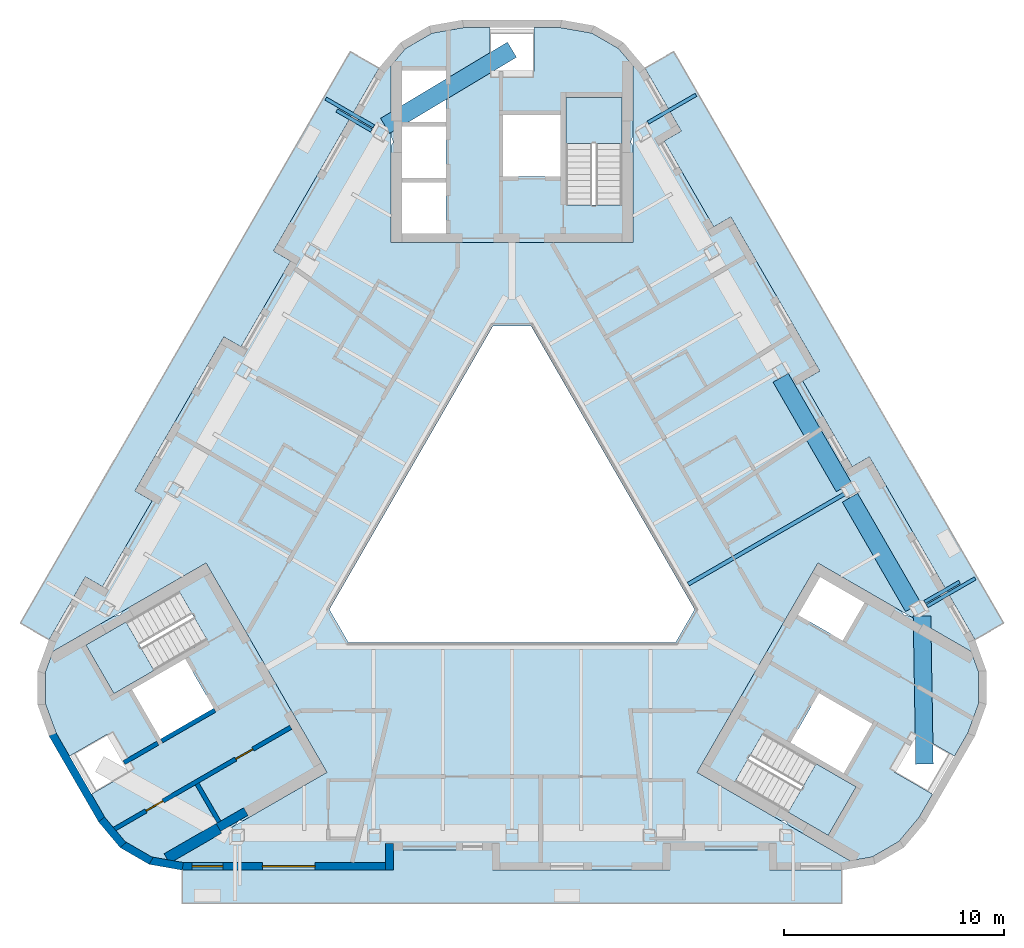
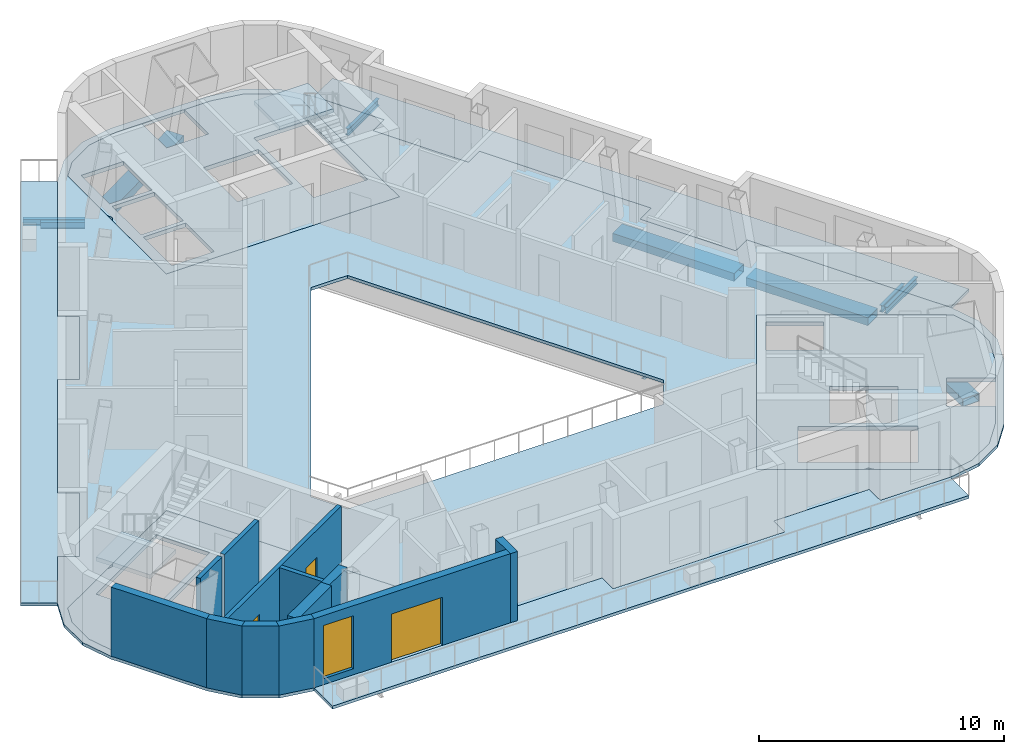
# One storey, part 2 of 11: 12 walls, 10 beams, 10 slabs, 3 doors, 1 window, 4 openings, 3 elements without a shape of their own.
"""IFC4 building model written with IfcOpenShell, lengths in metres."""

from ifc_helpers import new_model, si_unit, direction, frame, frame_2d, origin, origin_2d, place, context, subcontext, project, spatial, polyline, rectangle, hollow_rectangle, i_section, outline, extrude, material, layer, layer_set, material_profile, profile_set, type_object, element, fill, aggregate, save


model = new_model("IFC4")

# Units and contexts
model_context = context("Model", 3, precision=1e-05, world=origin(), true_north=direction((0.0, 1.0)))
body_context = subcontext(model_context, "Body", "Model", "MODEL_VIEW")
ifc_project = project(units=[si_unit("LENGTHUNIT", "METRE"), si_unit("AREAUNIT", "SQUARE_METRE"), si_unit("VOLUMEUNIT", "CUBIC_METRE"), si_unit("PLANEANGLEUNIT", "RADIAN"), si_unit("MASSUNIT", "GRAM", prefix="KILO")], contexts=[model_context])

# Site, building, storey
site_placement = place(None, origin())
site = spatial("IfcSite", under=ifc_project, at=site_placement, CompositionType="ELEMENT")
building_placement = place(site_placement, origin())
building = spatial("IfcBuilding", under=site, at=building_placement, Name="Apuvela Tower Hotel", CompositionType="ELEMENT")
storey_placement = place(building_placement, frame((0.0, 0.0, 328.10009765625)))
storey = spatial("IfcBuildingStorey", under=building, at=storey_placement, Name="L82", CompositionType="ELEMENT", Elevation=328.10009765625)

# Beams
ifc_material_1 = material(Name="Steel S355", Category="steel")
ifc_material_profile_1 = material_profile(ifc_material_1, i_section(OverallWidth=0.159912109375, OverallDepth=0.330078125, WebThickness=0.007568359375, FlangeThickness=0.011474609375, at=origin_2d()), Name="IPE 330")
ifc_profile_set_1 = profile_set([ifc_material_profile_1], Name="Steel S355")
beam_type_1 = type_object("IfcBeamType", Name="ENV-BALCONY-BEAM-IPE330", PredefinedType="BEAM", material=ifc_profile_set_1)
beam_1_placement = place(storey_placement, frame((18.890380859375, -3.6484375, -0.315185546875), z_axis=(0.866039067339, 0.499976333282, 0.0), x_axis=(-0.499976333282, 0.866039067339, 0.0)))
element("IfcBeam", 1, at=beam_1_placement, inside=storey, type_object=beam_type_1, Name="Balcony cantilever beam NE1 L82", PredefinedType="BEAM", context=body_context, shape_type="SweptSolid", body=[
    extrude(i_section(OverallWidth=0.159912109375, OverallDepth=0.330078125, WebThickness=0.007568359375, FlangeThickness=0.011474609375, at=origin_2d()), origin(), (0.0, 0.0, 1.0), 2.52490234375),
])
beam_2_placement = place(storey_placement, frame((18.780517578125, -3.4580078125, -0.315185546875), z_axis=(0.865978377894, 0.500081442387, 0.0), x_axis=(-0.500081442387, 0.865978377894, 0.0)))
element("IfcBeam", 2, at=beam_2_placement, inside=storey, type_object=beam_type_1, Name="Balcony cantilever beam NE2 L82", PredefinedType="BEAM", context=body_context, shape_type="SweptSolid", body=[
    extrude(i_section(OverallWidth=0.159912109375, OverallDepth=0.330078125, WebThickness=0.007568359375, FlangeThickness=0.011474609375, at=origin_2d()), origin(), (0.0, 0.0, 1.0), 1.824951171875),
])
for number, where, z_axis, x_axis, name in (
    (3, (6.185546875, 18.35693359375, -0.315185546875), (0.866039067339, 0.499976333282, 0.0), (-0.499976333282, 0.866039067339, 0.0), "Balcony cantilever beam NE3 L82"),
    (4, (-6.28564453125, 18.183837890625, -0.315185546875), (-0.866039067339, 0.499976333282, 0.0), (-0.499976333282, -0.866039067339, 0.0), "Balcony cantilever beam NW1 L82"),
):
    element("IfcBeam", number, at=place(storey_placement, frame(where, z_axis=z_axis, x_axis=x_axis)), inside=storey, type_object=beam_type_1, Name=name, PredefinedType="BEAM", context=body_context, shape_type="SweptSolid", body=[
        extrude(i_section(OverallWidth=0.159912109375, OverallDepth=0.330078125, WebThickness=0.007568359375, FlangeThickness=0.011474609375, at=origin_2d()), origin(), (0.0, 0.0, 1.0), 2.52490234375),
    ])
beam_3_placement = place(storey_placement, frame((-6.3955078125, 17.993408203125, -0.315185546875), z_axis=(-0.866069751741, 0.499923179218, 0.0), x_axis=(-0.499923179218, -0.866069751741, 0.0)))
element("IfcBeam", 5, at=beam_3_placement, inside=storey, type_object=beam_type_1, Name="Balcony cantilever beam NW2 L82", PredefinedType="BEAM", context=body_context, shape_type="SweptSolid", body=[
    extrude(i_section(OverallWidth=0.159912109375, OverallDepth=0.330078125, WebThickness=0.007568359375, FlangeThickness=0.011474609375, at=origin_2d()), origin(), (0.0, 0.0, 1.0), 1.824951171875),
])
ifc_material_profile_2 = material_profile(ifc_material_1, i_section(OverallWidth=0.179931640625, OverallDepth=0.39990234375, WebThickness=0.008544921875, FlangeThickness=0.013427734375, at=origin_2d()), Name="IPE 400")
ifc_profile_set_2 = profile_set([ifc_material_profile_2], Name="Steel S355")
beam_type_2 = type_object("IfcBeamType", Name="STR-B floor beam IPE 400", PredefinedType="BEAM", material=ifc_profile_set_2)
beam_4_placement = place(storey_placement, frame((15.262939453125, 1.53466796875, -0.35009765625), z_axis=(-0.866016455095, -0.500015499264, 0.0), x_axis=(0.500015499264, -0.866016455095, 0.0)))
element("IfcBeam", 6, at=beam_4_placement, inside=storey, type_object=beam_type_2, Name="Floor beam B2 NE3", PredefinedType="BEAM", context=body_context, shape_type="SweptSolid", body=[
    extrude(i_section(OverallWidth=0.179931640625, OverallDepth=0.39990234375, WebThickness=0.008544921875, FlangeThickness=0.013427734375, at=origin_2d()), origin(), (0.0, 0.0, 1.0), 8.365478515625),
])
ifc_material_2 = material(Name="Steel S460", Category="steel")
ifc_material_profile_3 = material_profile(ifc_material_2, hollow_rectangle(XDim=0.800048828125, YDim=0.39990234375, WallThickness=0.02490234375, at=origin_2d()), Name="BOX 800x400x25")
ifc_profile_set_3 = profile_set([ifc_material_profile_3], Name="Steel S460")
beam_type_3 = type_object("IfcBeamType", Name="STR-RB perimeter ring beam BOX 800x400x25", PredefinedType="SPANDREL", material=ifc_profile_set_3)
beam_5_placement = place(storey_placement, frame((18.2548828125, -3.69775390625, -0.400146484375), z_axis=(-0.499973507871, 0.866040698482, 0.0), x_axis=(-0.866040698482, -0.499973507871, 0.0)))
element("IfcBeam", 7, at=beam_5_placement, inside=storey, type_object=beam_type_3, Name="Ring beam RB1 NE1", PredefinedType="SPANDREL", context=body_context, shape_type="SweptSolid", body=[
    extrude(hollow_rectangle(XDim=0.800048828125, YDim=0.39990234375, WallThickness=0.02490234375, at=origin_2d()), origin(), (0.0, 0.0, 1.0), 5.752197265625),
])
beam_6_placement = place(storey_placement, frame((15.103759765625, 1.76025390625, -0.400146484375), z_axis=(-0.500005339912, 0.866022320763, 0.0), x_axis=(-0.866022320763, -0.500005339912, 0.0)))
element("IfcBeam", 8, at=beam_6_placement, inside=storey, type_object=beam_type_3, Name="Ring beam RB1 NE2", PredefinedType="SPANDREL", context=body_context, shape_type="SweptSolid", body=[
    extrude(hollow_rectangle(XDim=0.800048828125, YDim=0.39990234375, WallThickness=0.02490234375, at=origin_2d()), origin(), (0.0, 0.0, 1.0), 5.75244140625),
])
for number, where, z_axis, x_axis, name in (
    (9, (18.657470703125, -4.1005859375, -0.400146484375), (0.016705409891, -0.999860454904, 0.0), (0.999860454904, 0.016705409891, 0.0), "Ring beam RB1 NE1-SE"),
    (10, (-5.777587890625, 18.2080078125, -0.400146484375), (0.85754088229, 0.514415819353, 0.0), (-0.514415819353, 0.85754088229, 0.0), "Ring beam RB1 NW1-N"),
):
    element("IfcBeam", number, at=place(storey_placement, frame(where, z_axis=z_axis, x_axis=x_axis)), inside=storey, type_object=beam_type_3, Name=name, PredefinedType="SPANDREL", context=body_context, shape_type="SweptSolid", body=[
        extrude(hollow_rectangle(XDim=0.800048828125, YDim=0.39990234375, WallThickness=0.02490234375, at=origin_2d()), origin(), (0.0, 0.0, 1.0), 6.7373046875),
    ])

# Slabs
ifc_material_3 = material(Name="Concrete C50/60", Category="concrete")
ifc_layer_1 = layer(ifc_material_3, 0.199951171875)
ifc_layer_set_1 = layer_set([ifc_layer_1], Name="COR-FLOOR-200")
slab_type_1 = type_object("IfcSlabType", Name="COR-FLOOR-200", PredefinedType="FLOOR", material=ifc_layer_set_1)
slab_1_placement = place(storey_placement, frame((0.0, 0.0, -0.2001953125)))
element("IfcSlab", 11, at=slab_1_placement, inside=storey, type_object=slab_type_1, Name="Core floor N", PredefinedType="FLOOR", context=body_context, shape_type="SweptSolid", body=[
    extrude(outline(polyline([(5.401611328125, 17.47021484375), (5.5, 17.72412109375), (5.5, 20.94921875), (4.848876953125, 21.72509765625), (3.635986328125, 22.42529296875), (2.226318359375, 22.673828125), (1.0, 22.673828125), (1.0, 20.673828125), (-1.0, 20.673828125), (-1.0, 22.673828125), (-2.226318359375, 22.673828125), (-3.635986328125, 22.42529296875), (-4.848876953125, 21.72509765625), (-5.5, 20.94921875), (-5.5, 17.72412109375), (-5.401611328125, 17.47021484375), (-5.5, 17.2998046875), (-5.5, 12.89990234375), (5.5, 12.89990234375), (5.5, 17.2998046875), (5.401611328125, 17.47021484375)]), holes=[polyline([(-3.0, 13.300048828125), (-5.0, 13.300048828125), (-5.0, 15.639892578125), (-3.0, 15.639892578125), (-3.0, 13.300048828125)]), polyline([(-3.0, 15.840087890625), (-5.0, 15.840087890625), (-5.0, 18.179931640625), (-3.0, 18.179931640625), (-3.0, 15.840087890625)]), polyline([(5.0, 14.60595703125), (2.449951171875, 14.60595703125), (2.449951171875, 19.5), (5.0, 19.5), (5.0, 14.60595703125)]), polyline([(2.199951171875, 18.699951171875), (2.199951171875, 15.89990234375), (-0.39990234375, 15.89990234375), (-0.39990234375, 18.699951171875), (2.199951171875, 18.699951171875)]), polyline([(-3.0, 20.719970703125), (-3.0, 18.3798828125), (-5.0, 18.3798828125), (-5.0, 20.719970703125), (-3.0, 20.719970703125)])]), origin(), (0.0, 0.0, 1.0), 0.2001953125),
])
slab_2_placement = place(storey_placement, frame((0.0, 0.0, -0.2001953125)))
element("IfcSlab", 12, at=slab_2_placement, inside=storey, type_object=slab_type_1, Name="Core floor SW", PredefinedType="FLOOR", context=body_context, shape_type="SweptSolid", body=[
    extrude(outline(polyline([(-17.830322265625, -4.05712890625), (-18.099609375, -4.098876953125), (-20.892578125, -5.71142578125), (-21.239013671875, -6.663330078125), (-21.239013671875, -8.063720703125), (-20.749267578125, -9.408935546875), (-20.135986328125, -10.470947265625), (-18.404052734375, -9.470947265625), (-17.404052734375, -11.202880859375), (-19.135986328125, -12.202880859375), (-18.52294921875, -13.264892578125), (-17.602783203125, -14.361572265625), (-16.389892578125, -15.061767578125), (-15.392578125, -15.23779296875), (-12.599365234375, -13.625), (-12.4287109375, -13.4130859375), (-12.23193359375, -13.4130859375), (-8.421630859375, -11.213134765625), (-13.921630859375, -1.68701171875), (-17.732177734375, -3.88671875), (-17.830322265625, -4.05712890625)]), holes=[polyline([(-13.874267578125, -5.18115234375), (-18.112548828125, -7.628173828125), (-19.387451171875, -5.419921875), (-15.149169921875, -2.972900390625), (-13.874267578125, -5.18115234375)]), polyline([(-13.56982421875, -8.29638671875), (-15.99462890625, -9.6962890625), (-17.294677734375, -7.444580078125), (-14.869873046875, -6.044677734375), (-13.56982421875, -8.29638671875)])]), origin(), (0.0, 0.0, 1.0), 0.2001953125),
])
slab_3_placement = place(storey_placement, frame((0.0, 0.0, -0.2001953125)))
element("IfcSlab", 13, at=slab_3_placement, inside=storey, type_object=slab_type_1, Name="Core floor SE", PredefinedType="FLOOR", context=body_context, shape_type="SweptSolid", body=[
    extrude(outline(polyline([(12.4287109375, -13.4130859375), (12.599365234375, -13.625), (15.392578125, -15.23779296875), (16.389892578125, -15.061767578125), (17.602783203125, -14.361572265625), (18.52294921875, -13.264892578125), (19.135986328125, -12.202880859375), (17.404052734375, -11.202880859375), (18.404052734375, -9.470947265625), (20.135986328125, -10.470947265625), (20.749267578125, -9.408935546875), (21.239013671875, -8.063720703125), (21.239013671875, -6.663330078125), (20.892578125, -5.71142578125), (18.099609375, -4.098876953125), (17.830322265625, -4.05712890625), (17.732177734375, -3.88671875), (13.921630859375, -1.68701171875), (8.421630859375, -11.213134765625), (12.23193359375, -13.4130859375), (12.4287109375, -13.4130859375)]), holes=[polyline([(14.01806640625, -2.31982421875), (16.044677734375, -3.489990234375), (15.044677734375, -5.221923828125), (13.01806640625, -4.052001953125), (14.01806640625, -2.31982421875)]), polyline([(10.149169921875, -11.633056640625), (11.42431640625, -9.4248046875), (15.66259765625, -11.871826171875), (14.387451171875, -14.080078125), (10.149169921875, -11.633056640625)]), polyline([(12.669921875, -9.855224609375), (13.9697265625, -7.603515625), (16.394775390625, -9.003662109375), (15.0947265625, -11.25537109375), (12.669921875, -9.855224609375)])]), origin(), (0.0, 0.0, 1.0), 0.2001953125),
])

# Stair, slab
stair_type = type_object("IfcStairType", Name="COR-STAIR-22R", PredefinedType="HALF_TURN_STAIR", material=ifc_material_3)
stair_1_placement = place(storey_placement, origin())
stair_1 = element("IfcStair", 14, at=stair_1_placement, inside=storey, type_object=stair_type, Name="L82 Exit stair ST1", PredefinedType="HALF_TURN_STAIR")
ifc_layer_2 = layer(ifc_material_3, 0.199951171875)
ifc_layer_set_2 = layer_set([ifc_layer_2], Name="COR-LANDING-200")
slab_type_2 = type_object("IfcSlabType", Name="COR-LANDING-200", PredefinedType="LANDING", material=ifc_layer_set_2)
slab_4_placement = place(storey_placement, frame((0.0, 0.0, 1.64990234375)))
slab_4 = element("IfcSlab", 15, at=slab_4_placement, type_object=slab_type_2, Name="ST1 landing 1", PredefinedType="LANDING", context=body_context, shape_type="SweptSolid", body=[
    extrude(outline(polyline([(5.0, 17.39404296875), (5.0, 19.5), (2.449951171875, 19.5), (2.449951171875, 17.39404296875), (5.0, 17.39404296875)])), origin(), (0.0, 0.0, 1.0), 0.199951171875),
])
aggregate(stair_1, [slab_4])

stair_2_placement = place(storey_placement, origin())
stair_2 = element("IfcStair", 16, at=stair_2_placement, inside=storey, type_object=stair_type, Name="L82 Exit stair ST2", PredefinedType="HALF_TURN_STAIR")
slab_5_placement = place(storey_placement, frame((0.0, 0.0, 1.64990234375)))
slab_5 = element("IfcSlab", 17, at=slab_5_placement, type_object=slab_type_2, Name="ST2 landing 1", PredefinedType="LANDING", context=body_context, shape_type="SweptSolid", body=[
    extrude(outline(polyline([(-17.563720703125, -4.366943359375), (-19.387451171875, -5.419921875), (-18.112548828125, -7.628173828125), (-16.28857421875, -6.5751953125), (-17.563720703125, -4.366943359375)])), origin(), (0.0, 0.0, 1.0), 0.199951171875),
])
aggregate(stair_2, [slab_5])

stair_3_placement = place(storey_placement, origin())
stair_3 = element("IfcStair", 18, at=stair_3_placement, inside=storey, type_object=stair_type, Name="L82 Exit stair ST3", PredefinedType="HALF_TURN_STAIR")
slab_6_placement = place(storey_placement, frame((0.0, 0.0, 1.64990234375)))
slab_6 = element("IfcSlab", 19, at=slab_6_placement, type_object=slab_type_2, Name="ST3 landing 1", PredefinedType="LANDING", context=body_context, shape_type="SweptSolid", body=[
    extrude(outline(polyline([(12.563720703125, -13.027099609375), (14.387451171875, -14.080078125), (15.66259765625, -11.871826171875), (13.838623046875, -10.81884765625), (12.563720703125, -13.027099609375)])), origin(), (0.0, 0.0, 1.0), 0.199951171875),
])
aggregate(stair_3, [slab_6])

# Slabs
ifc_material_4 = material(Name="Concrete C40/50, fair-faced", Category="concrete")
ifc_layer_3 = layer(ifc_material_4, 0.14990234375)
ifc_layer_set_3 = layer_set([ifc_layer_3], Name="ENV-BALCONY-150")
slab_type_3 = type_object("IfcSlabType", Name="ENV-BALCONY-150", PredefinedType="FLOOR", material=ifc_layer_set_3)
slab_7_placement = place(storey_placement, frame((0.0, 0.0, -0.150146484375)))
element("IfcSlab", 20, at=slab_7_placement, inside=storey, type_object=slab_type_3, Name="Balcony slab S L82", PredefinedType="FLOOR", context=body_context, shape_type="SweptSolid", body=[
    extrude(outline(polyline([(-15.015869140625, -15.655517578125), (-5.407470703125, -15.655517578125), (-5.407470703125, -14.75537109375), (-0.89501953125, -14.75537109375), (-0.89501953125, -15.655517578125), (7.197509765625, -15.655517578125), (7.197509765625, -14.75537109375), (11.7099609375, -14.75537109375), (11.7099609375, -15.655517578125), (15.015869140625, -15.655517578125), (15.015869140625, -17.165283203125), (-15.015869140625, -17.165283203125), (-15.015869140625, -15.655517578125)])), origin(), (0.0, 0.0, 1.0), 0.150146484375),
])
slab_8_placement = place(storey_placement, frame((0.0, 0.0, -0.150146484375)))
element("IfcSlab", 21, at=slab_8_placement, inside=storey, type_object=slab_type_3, Name="Balcony slab NE L82", PredefinedType="FLOOR", context=body_context, shape_type="SweptSolid", body=[
    extrude(outline(polyline([(14.00537109375, 7.052490234375), (9.959228515625, 14.060791015625), (9.1796875, 13.61083984375), (6.923583984375, 17.518798828125), (7.702880859375, 17.96875), (6.050048828125, 20.831787109375), (7.357666015625, 21.5869140625), (22.37353515625, -4.42138671875), (21.06591796875, -5.176513671875), (16.26171875, 3.144775390625), (15.482421875, 2.694580078125), (13.22607421875, 6.6025390625), (14.00537109375, 7.052490234375)])), origin(), (0.0, 0.0, 1.0), 0.150146484375),
])
slab_9_placement = place(storey_placement, frame((0.0, 0.0, -0.150146484375)))
element("IfcSlab", 22, at=slab_9_placement, inside=storey, type_object=slab_type_3, Name="Balcony slab NW L82", PredefinedType="FLOOR", context=body_context, shape_type="SweptSolid", body=[
    extrude(outline(polyline([(-22.37353515625, -4.42138671875), (-7.357666015625, 21.5869140625), (-6.050048828125, 20.831787109375), (-10.854248046875, 12.5107421875), (-10.07470703125, 12.060791015625), (-12.3310546875, 8.152587890625), (-13.110595703125, 8.602783203125), (-17.15673828125, 1.594482421875), (-16.377197265625, 1.14453125), (-18.633544921875, -2.763427734375), (-19.412841796875, -2.3134765625), (-21.06591796875, -5.176513671875), (-22.37353515625, -4.42138671875)])), origin(), (0.0, 0.0, 1.0), 0.150146484375),
])
ifc_material_5 = material(Name="Concrete C35/45", Category="concrete")
ifc_layer_4 = layer(ifc_material_5, 0.14990234375)
ifc_layer_set_4 = layer_set([ifc_layer_4], Name="STR-SLAB 150 floor Concrete C35/45")
slab_type_4 = type_object("IfcSlabType", Name="STR-SLAB 150 floor Concrete C35/45", PredefinedType="FLOOR", material=ifc_layer_set_4)
slab_10_placement = place(storey_placement, frame((0.0, 0.0, -0.150146484375)))
element("IfcSlab", 23, at=slab_10_placement, inside=storey, type_object=slab_type_4, Name="Floor slab S4 L82", PredefinedType="FLOOR", context=body_context, shape_type="SweptSolid", body=[
    extrude(outline(polyline([(-5.077392578125, 21.997314453125), (-3.757568359375, 22.75927734375), (-2.2568359375, 23.02392578125), (2.2568359375, 23.02392578125), (3.757568359375, 22.75927734375), (5.077392578125, 21.997314453125), (6.056884765625, 20.830078125), (7.709716796875, 17.967041015625), (6.930419921875, 17.51708984375), (9.181640625, 13.61767578125), (9.961181640625, 14.067626953125), (14.01220703125, 7.05078125), (13.23291015625, 6.600830078125), (15.484130859375, 2.701416015625), (16.263427734375, 3.151611328125), (21.067626953125, -5.169677734375), (21.5888671875, -6.6015625), (21.5888671875, -8.12548828125), (21.067626953125, -9.557373046875), (18.810791015625, -13.466552734375), (17.831298828125, -14.6337890625), (16.51171875, -15.395751953125), (15.010986328125, -15.660400390625), (11.704833984375, -15.660400390625), (11.704833984375, -14.760498046875), (7.202392578125, -14.760498046875), (7.202392578125, -15.660400390625), (-0.89990234375, -15.660400390625), (-0.89990234375, -14.760498046875), (-5.402587890625, -14.760498046875), (-5.402587890625, -15.660400390625), (-15.010986328125, -15.660400390625), (-16.51171875, -15.395751953125), (-17.831298828125, -14.6337890625), (-18.810791015625, -13.466552734375), (-21.067626953125, -9.557373046875), (-21.5888671875, -8.12548828125), (-21.5888671875, -6.6015625), (-21.067626953125, -5.169677734375), (-19.414794921875, -2.306640625), (-18.63525390625, -2.756591796875), (-16.384033203125, 1.142578125), (-17.16357421875, 1.5927734375), (-13.1123046875, 8.609619140625), (-12.3330078125, 8.15966796875), (-10.08154296875, 12.058837890625), (-10.861083984375, 12.5087890625), (-6.056884765625, 20.830078125), (-5.077392578125, 21.997314453125)]), holes=[polyline([(0.865966796875, 9.10009765625), (-0.865966796875, 9.10009765625), (-8.313720703125, -3.800048828125), (-7.44775390625, -5.300048828125), (7.44775390625, -5.300048828125), (8.313720703125, -3.800048828125), (0.865966796875, 9.10009765625)]), polyline([(-5.5, 12.89990234375), (-5.5, 20.94921875), (-4.848876953125, 21.72509765625), (-3.635986328125, 22.42529296875), (-2.226318359375, 22.673828125), (2.226318359375, 22.673828125), (3.635986328125, 22.42529296875), (4.848876953125, 21.72509765625), (5.5, 20.94921875), (5.5, 12.89990234375), (-5.5, 12.89990234375)]), polyline([(-8.421630859375, -11.213134765625), (-15.392578125, -15.23779296875), (-16.389892578125, -15.061767578125), (-17.602783203125, -14.361572265625), (-18.52294921875, -13.264892578125), (-20.749267578125, -9.408935546875), (-21.239013671875, -8.063720703125), (-21.239013671875, -6.663330078125), (-20.892578125, -5.71142578125), (-13.921630859375, -1.68701171875), (-8.421630859375, -11.213134765625)]), polyline([(13.921630859375, -1.68701171875), (20.892578125, -5.71142578125), (21.239013671875, -6.663330078125), (21.239013671875, -8.063720703125), (20.749267578125, -9.408935546875), (18.52294921875, -13.264892578125), (17.602783203125, -14.361572265625), (16.389892578125, -15.061767578125), (15.392578125, -15.23779296875), (8.421630859375, -11.213134765625), (13.921630859375, -1.68701171875)])]), origin(), (0.0, 0.0, 1.0), 0.150146484375),
])

# Walls
ifc_layer_5 = layer(ifc_material_3, 0.39990234375)
ifc_layer_set_5 = layer_set([ifc_layer_5], Name="COR-WALL-CORE-400")
wall_type_1 = type_object("IfcWallType", Name="COR-WALL-CORE-400", PredefinedType="SHEAR", material=ifc_layer_set_5)
wall_1_placement = place(storey_placement, frame((-12.109130859375, -12.99560546875, 0.0), z_axis=(0.0, 0.0, 1.0), x_axis=(-0.865977303747, -0.500083302456, 0.0)))
element("IfcWall", 24, at=wall_1_placement, inside=storey, type_object=wall_type_1, Name="Core wall SW", PredefinedType="SHEAR", context=body_context, shape_type="SweptSolid", body=[
    extrude(rectangle(XDim=1.444580078125, YDim=0.39990234375, at=frame_2d((0.72216796875, 0.0))), origin(), (0.0, 0.0, 1.0), 3.449951171875),
])
ifc_layer_6 = layer(ifc_material_3, 0.5)
ifc_layer_set_6 = layer_set([ifc_layer_6], Name="COR-WALL-CORE-500")
wall_type_2 = type_object("IfcWallType", Name="COR-WALL-CORE-500", PredefinedType="SHEAR", material=ifc_layer_set_6)
wall_2_placement = place(storey_placement, frame((-13.335205078125, -13.76123046875, 0.0), z_axis=(0.0, 0.0, 1.0), x_axis=(-0.866034122891, -0.49998489776, 0.0)))
element("IfcWall", 25, at=wall_2_placement, inside=storey, type_object=wall_type_2, Name="Core wall SW", PredefinedType="SHEAR", context=body_context, shape_type="SweptSolid", body=[
    extrude(rectangle(XDim=2.73779296875, YDim=0.5, at=frame_2d((1.368896484375, 0.0))), origin(), (0.0, 0.0, 1.0), 3.449951171875),
])
ifc_layer_7 = layer(ifc_material_3, 0.199951171875)
ifc_layer_set_7 = layer_set([ifc_layer_7], Name="COR-WALL-SHAFT-200")
wall_type_3 = type_object("IfcWallType", Name="COR-WALL-SHAFT-200", PredefinedType="SHEAR", material=ifc_layer_set_7)
wall_3_placement = place(storey_placement, frame((-13.519775390625, -8.383056640625, 0.0), z_axis=(0.0, 0.0, 1.0), x_axis=(-0.866034573852, -0.49998411664, 0.0)))
element("IfcWall", 26, at=wall_3_placement, inside=storey, type_object=wall_type_3, Name="Shaft wall SW", PredefinedType="SHEAR", context=body_context, shape_type="SweptSolid", body=[
    extrude(rectangle(XDim=2.7998046875, YDim=0.199951171875, at=frame_2d((1.39990234375, 0.0))), origin(), (0.0, 0.0, 1.0), 3.449951171875),
])

# Wall, openings, doors
wall_4_placement = place(storey_placement, frame((-10.068115234375, -9.16162109375, 0.0), z_axis=(0.0, 0.0, 1.0), x_axis=(-0.866027741594, -0.499995950774, 0.0)))
wall_4 = element("IfcWall", 27, at=wall_4_placement, inside=storey, type_object=wall_type_3, Name="Shaft wall SW", PredefinedType="SHEAR", context=body_context, shape_type="SweptSolid", body=[
    extrude(rectangle(XDim=9.2724609375, YDim=0.199951171875, at=frame_2d((4.63623046875, 0.0))), origin(), (0.0, 0.0, 1.0), 3.449951171875),
])
opening_1_placement = place(wall_4_placement, frame((1.989990234375, 0.0, 0.0)))
opening_1 = element("IfcOpeningElement", 28, at=opening_1_placement, cuts=wall_4, Name="Opening W-RE1", PredefinedType="OPENING", context=body_context, shape_type="SweptSolid", body=[
    extrude(rectangle(XDim=0.89990234375, YDim=2.10009765625, at=frame_2d((0.449951171875, 1.050048828125))), frame((0.0, 0.10986328125, 0.0), z_axis=(0.0, -1.0, 0.0), x_axis=(1.0, 0.0, 0.0)), (0.0, 0.0, 1.0), 0.219970703125),
])
opening_2_placement = place(wall_4_placement, frame((6.708740234375, 0.0, 0.0)))
opening_2 = element("IfcOpeningElement", 29, at=opening_2_placement, cuts=wall_4, Name="Opening W-RE3", PredefinedType="OPENING", context=body_context, shape_type="SweptSolid", body=[
    extrude(rectangle(XDim=0.89990234375, YDim=2.10009765625, at=frame_2d((0.449951171875, 1.050048828125))), frame((0.0, 0.10986328125, 0.0), z_axis=(0.0, -1.0, 0.0), x_axis=(1.0, 0.0, 0.0)), (0.0, 0.0, 1.0), 0.219970703125),
])
ifc_material_6 = material(Name="Steel fire door, powder coated", Category="steel")
door_type_1 = type_object("IfcDoorType", Name="COR-DR-900", OperationType="NOTDEFINED", PredefinedType="DOOR", material=ifc_material_6)
door_1_placement = place(opening_1_placement, origin())
door_1 = element("IfcDoor", 30, at=door_1_placement, inside=storey, type_object=door_type_1, Name="Store door W-RE1", OperationType="SINGLE_SWING_LEFT", OverallHeight=2.10009765625, OverallWidth=0.89990234375, PredefinedType="DOOR", context=body_context, shape_type="SweptSolid", body=[
    extrude(rectangle(XDim=0.89990234375, YDim=2.10009765625, at=frame_2d((0.449951171875, 1.050048828125))), frame((0.0, 0.02490234375, 0.0), z_axis=(0.0, -1.0, 0.0), x_axis=(1.0, 0.0, 0.0)), (0.0, 0.0, 1.0), 0.050048828125),
])
fill(opening_1, door_1)
door_2_placement = place(opening_2_placement, origin())
door_2 = element("IfcDoor", 31, at=door_2_placement, inside=storey, type_object=door_type_1, Name="Store door W-RE3", OperationType="SINGLE_SWING_LEFT", OverallHeight=2.10009765625, OverallWidth=0.89990234375, PredefinedType="DOOR", context=body_context, shape_type="SweptSolid", body=[
    extrude(rectangle(XDim=0.89990234375, YDim=2.10009765625, at=frame_2d((0.449951171875, 1.050048828125))), frame((0.0, 0.02490234375, 0.0), z_axis=(0.0, -1.0, 0.0), x_axis=(1.0, 0.0, 0.0)), (0.0, 0.0, 1.0), 0.050048828125),
])
fill(opening_2, door_2)

# Walls
wall_5_placement = place(storey_placement, frame((-16.117919921875, -9.883056640625, 0.0), z_axis=(0.0, 0.0, 1.0), x_axis=(-0.86600680221, -0.500032217487, 0.0)))
element("IfcWall", 32, at=wall_5_placement, inside=storey, type_object=wall_type_3, Name="Shaft wall SW", PredefinedType="SHEAR", context=body_context, shape_type="SweptSolid", body=[
    extrude(rectangle(XDim=1.77392578125, YDim=0.199951171875, at=frame_2d((0.886962890625, 0.0))), origin(), (0.0, 0.0, 1.0), 3.449951171875),
])
wall_6_placement = place(storey_placement, frame((-14.330810546875, -11.738037109375, 0.0), z_axis=(0.0, 0.0, 1.0), x_axis=(0.499972520799, -0.866041268327, 0.0)))
element("IfcWall", 33, at=wall_6_placement, inside=storey, type_object=wall_type_3, Name="Shaft wall SW", PredefinedType="SHEAR", context=body_context, shape_type="SweptSolid", body=[
    extrude(rectangle(XDim=2.0, YDim=0.199951171875, at=frame_2d((1.0, 0.0))), origin(), (0.0, 0.0, 1.0), 3.449951171875),
])
ifc_material_7 = material(Name="Concrete C40/50, dark pigmented precast panel", Category="concrete")
ifc_layer_8 = layer(ifc_material_7, 0.35009765625)
ifc_layer_set_8 = layer_set([ifc_layer_8], Name="ENV-WALL-350")
wall_type_4 = type_object("IfcWallType", Name="ENV-WALL-350", PredefinedType="SOLIDWALL", material=ifc_layer_set_8)
wall_7_placement = place(storey_placement, frame((-20.916259765625, -9.469970703125, 0.0), z_axis=(0.0, 0.0, 1.0), x_axis=(0.500042384281, -0.866000931825, 0.0)))
element("IfcWall", 34, at=wall_7_placement, inside=storey, type_object=wall_type_4, Name="External wall L82-13", PredefinedType="SOLIDWALL", context=body_context, shape_type="SweptSolid", body=[
    extrude(rectangle(XDim=4.513671875, YDim=0.35009765625, at=frame_2d((2.2568359375, 0.0))), origin(), (0.0, 0.0, 1.0), 3.449951171875),
])
wall_8_placement = place(storey_placement, frame((-18.6767578125, -13.35400390625, 0.0), z_axis=(0.0, 0.0, 1.0), x_axis=(0.642812493629, -0.766023562323, 0.0)))
element("IfcWall", 35, at=wall_8_placement, inside=storey, type_object=wall_type_4, Name="External wall L82-14", PredefinedType="SOLIDWALL", context=body_context, shape_type="SweptSolid", body=[
    extrude(rectangle(XDim=1.523681640625, YDim=0.35009765625, at=frame_2d((0.76171875, 0.0))), origin(), (0.0, 0.0, 1.0), 3.449951171875),
])
for number, where, z_axis, x_axis, name in (
    (36, (-17.743896484375, -14.482421875, 0.0), (0.0, 0.0, 1.0), (0.8661055579, -0.499861143294, 0.0), "External wall L82-15"),
    (37, (-16.481201171875, -15.223388671875, 0.0), (0.0, 0.0, 1.0), (0.984804518596, -0.173666519954, 0.0), "External wall L82-16"),
):
    element("IfcWall", number, at=place(storey_placement, frame(where, z_axis=z_axis, x_axis=x_axis)), inside=storey, type_object=wall_type_4, Name=name, PredefinedType="SOLIDWALL", context=body_context, shape_type="SweptSolid", body=[
        extrude(rectangle(XDim=1.52392578125, YDim=0.35009765625, at=frame_2d((0.761962890625, 0.0))), origin(), (0.0, 0.0, 1.0), 3.449951171875),
    ])

# Wall, openings, door, window
wall_9_placement = place(storey_placement, frame((-15.010986328125, -15.4853515625, 0.0), z_axis=(0.0, 0.0, 1.0), x_axis=(1.0, 0.0, 0.0)))
wall_9 = element("IfcWall", 38, at=wall_9_placement, inside=storey, type_object=wall_type_4, Name="External wall L82-17", PredefinedType="SOLIDWALL", context=body_context, shape_type="SweptSolid", body=[
    extrude(rectangle(XDim=9.6083984375, YDim=0.35009765625, at=frame_2d((4.80419921875, 0.0))), origin(), (0.0, 0.0, 1.0), 3.449951171875),
])
opening_3_placement = place(wall_9_placement, frame((0.449951171875, 0.0, 0.300048828125)))
opening_3 = element("IfcOpeningElement", 39, at=opening_3_placement, cuts=wall_9, Name="Opening WN14", PredefinedType="OPENING", context=body_context, shape_type="SweptSolid", body=[
    extrude(rectangle(XDim=1.39990234375, YDim=2.64990234375, at=frame_2d((0.699951171875, 1.324951171875))), frame((0.0, 0.18505859375, 0.0), z_axis=(0.0, -1.0, 0.0), x_axis=(1.0, 0.0, 0.0)), (0.0, 0.0, 1.0), 0.3701171875),
])
opening_4_placement = place(wall_9_placement, frame((3.6552734375, 0.0, 0.0)))
opening_4 = element("IfcOpeningElement", 40, at=opening_4_placement, cuts=wall_9, Name="Opening BD24", PredefinedType="OPENING", context=body_context, shape_type="SweptSolid", body=[
    extrude(rectangle(XDim=2.39990234375, YDim=2.39990234375, at=frame_2d((1.199951171875, 1.199951171875))), frame((0.0, 0.18505859375, 0.0), z_axis=(0.0, -1.0, 0.0), x_axis=(1.0, 0.0, 0.0)), (0.0, 0.0, 1.0), 0.3701171875),
])
ifc_material_8 = material(Name="Aluminium 6063-T6, dark bronze anodised frame with dark tinted laminated glass", Category="aluminium")
door_type_2 = type_object("IfcDoorType", Name="ENV-DOOR-BALCONY-2400x2400", OperationType="SLIDING_TO_LEFT", PredefinedType="DOOR", material=ifc_material_8)
door_3_placement = place(opening_4_placement, frame((2.39990234375, 0.0, 0.0), z_axis=(0.0, 0.0, 1.0), x_axis=(-1.0, 0.0, 0.0)))
door_3 = element("IfcDoor", 41, at=door_3_placement, inside=storey, type_object=door_type_2, Name="Balcony door BD24", OperationType="SLIDING_TO_LEFT", OverallHeight=2.39990234375, OverallWidth=2.39990234375, PredefinedType="DOOR", context=body_context, shape_type="SweptSolid", body=[
    extrude(rectangle(XDim=2.39990234375, YDim=2.39990234375, at=frame_2d((1.199951171875, 1.199951171875))), frame((0.0, 0.02490234375, 0.0), z_axis=(0.0, -1.0, 0.0), x_axis=(1.0, 0.0, 0.0)), (0.0, 0.0, 1.0), 0.050048828125),
])
fill(opening_4, door_3)
ifc_material_9 = material(Name="Glass, dark tinted laminated insulated glazing unit", Category="glass")
window_type = type_object("IfcWindowType", Name="ENV-WIN-1400x2650", PartitioningType="SINGLE_PANEL", PredefinedType="WINDOW", material=ifc_material_9)
window_placement = place(opening_3_placement, origin())
window = element("IfcWindow", 42, at=window_placement, inside=storey, type_object=window_type, Name="Window WN14", OverallHeight=2.64990234375, OverallWidth=1.39990234375, PartitioningType="SINGLE_PANEL", PredefinedType="WINDOW", context=body_context, shape_type="SweptSolid", body=[
    extrude(rectangle(XDim=1.39990234375, YDim=2.64990234375, at=frame_2d((0.699951171875, 1.324951171875))), frame((0.0, 0.030029296875, 0.0), z_axis=(0.0, -1.0, 0.0), x_axis=(1.0, 0.0, 0.0)), (0.0, 0.0, 1.0), 0.06005859375),
])
fill(opening_3, window)

# Wall
wall_10_placement = place(storey_placement, frame((-5.577392578125, -15.660400390625, 0.0), z_axis=(0.0, 0.0, 1.0), x_axis=(0.0, 1.0, 0.0)))
element("IfcWall", 43, at=wall_10_placement, inside=storey, type_object=wall_type_4, Name="External wall L82-18", PredefinedType="SOLIDWALL", context=body_context, shape_type="SweptSolid", body=[
    extrude(rectangle(XDim=1.219970703125, YDim=0.35009765625, at=frame_2d((0.60986328125, 0.0))), origin(), (0.0, 0.0, 1.0), 3.449951171875),
])

save(model, "model.ifc")
